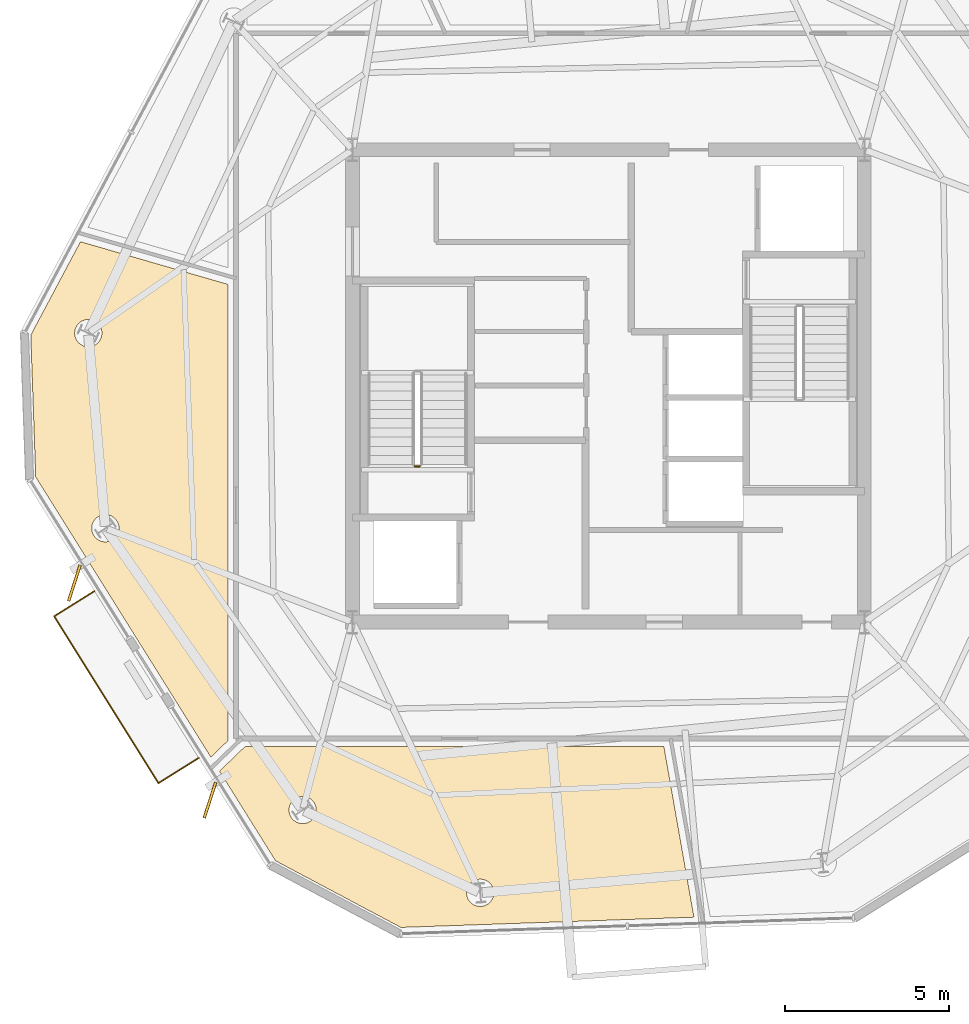
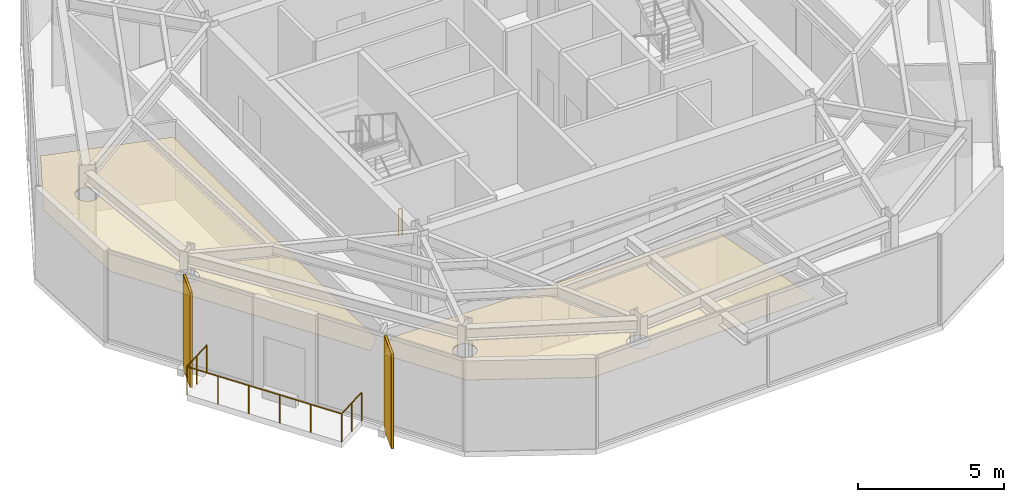
# One storey, part 8 of 11: 4 coverings, 2 railings, 2 shading devices.
"""IFC4 building model written with IfcOpenShell, lengths in metres."""

from ifc_helpers import new_model, si_unit, direction, frame, origin, origin_2d, place, context, subcontext, project, spatial, polyline, rectangle, circle, outline, extrude, material, layer, layer_set, type_object, element, save


model = new_model("IFC4")

# Units and contexts
model_context = context("Model", 3, precision=1e-05, world=origin(), true_north=direction((0.0, 1.0)))
body_context = subcontext(model_context, "Body", "Model", "MODEL_VIEW")
ifc_project = project(units=[si_unit("LENGTHUNIT", "METRE"), si_unit("AREAUNIT", "SQUARE_METRE"), si_unit("VOLUMEUNIT", "CUBIC_METRE"), si_unit("PLANEANGLEUNIT", "RADIAN"), si_unit("MASSUNIT", "GRAM", prefix="KILO")], contexts=[model_context])

# Site, building, storey
site_placement = place(None, origin())
site = spatial("IfcSite", under=ifc_project, at=site_placement, CompositionType="ELEMENT")
building_placement = place(site_placement, origin())
building = spatial("IfcBuilding", under=site, at=building_placement, Name="Kranzbogen Civic Tower", CompositionType="ELEMENT")
storey_placement = place(building_placement, frame((0.0, 0.0, 274.199951171875)))
storey = spatial("IfcBuildingStorey", under=building, at=storey_placement, Name="L66", CompositionType="ELEMENT", Elevation=274.199951171875)

# Coverings
ifc_material_1 = material(Name="Pale Anodised Aluminium", Category="aluminium")
ifc_layer_1 = layer(ifc_material_1, 0.02490234375, Name="Pale Anodised Aluminium")
ifc_layer_set_1 = layer_set([ifc_layer_1], Name="Pale Anodised Aluminium")
covering_type_1 = type_object("IfcCoveringType", Name="Anodised Aluminium Vertical Fin Cladding 25 mm", PredefinedType="CLADDING", material=ifc_layer_set_1)
for number, where, z_axis, x_axis, name in (
    (1, (8.720947265625, 18.989990234375, -0.139892578125), (0.0, 0.0, 1.0), (-0.307190528564, -0.951648033235, 0.0), "L66 vertical fin pale-metal cladding F3-1"),
    (2, (12.85400390625, 12.375, -0.139892578125), (0.0, 0.0, 1.0), (-0.307190528564, -0.951648033235, 0.0), "L66 vertical fin pale-metal cladding F3-4"),
):
    element("IfcCovering", number, at=place(storey_placement, frame(where, z_axis=z_axis, x_axis=x_axis)), inside=storey, type_object=covering_type_1, Name=name, PredefinedType="CLADDING", context=body_context, shape_type="SweptSolid", body=[
        extrude(rectangle(XDim=1.14990234375, YDim=0.094970703125, at=origin_2d()), origin(), (0.0, 0.0, 1.0), 3.9599609375),
    ])

# Railings
ifc_material_2 = material(Name="Anodised Bronze Aluminium", Category="aluminium")
railing_type_1 = type_object("IfcRailingType", Name="Cantilevered Balcony Glass and Bronze Balustrade 1200", PredefinedType="BALUSTRADE", material=ifc_material_2)
railing_1_placement = place(storey_placement, frame((9.3330078125, 18.7470703125, 0.0)))
element("IfcRailing", 3, at=railing_1_placement, inside=storey, type_object=railing_type_1, Name="L66 exterior terrace balustrade L66-TB2", PredefinedType="BALUSTRADE", context=body_context, shape_type="SweptSolid", body=[
    extrude(circle(Radius=0.02392578125, at=origin_2d()), frame((0.0, 0.0, 1.17578125), z_axis=(-0.84820632616, -0.529665959131, 0.0), x_axis=(0.529665959131, -0.84820632616, 0.0)), (0.0, 0.0, 1.0), 1.4501953125),
    extrude(circle(Radius=0.02392578125, at=origin_2d()), frame((-1.22998046875, -0.76806640625, 1.17578125), z_axis=(0.529881881377, -0.848071454412, 0.0), x_axis=(0.848071454412, 0.529881881377, 0.0)), (0.0, 0.0, 1.0), 5.999267578125),
    extrude(circle(Radius=0.02392578125, at=origin_2d()), frame((1.948974609375, -5.85595703125, 1.17578125), z_axis=(0.848281963452, 0.529544814422, 0.0), x_axis=(-0.529544814422, 0.848281963452, 0.0)), (0.0, 0.0, 1.0), 1.449951171875),
    extrude(circle(Radius=0.02099609375, at=origin_2d()), origin(), (0.0, 0.0, 1.0), 1.15185546875),
    extrude(circle(Radius=0.02099609375, at=origin_2d()), frame((-0.614990234375, -0.384033203125, 0.0)), (0.0, 0.0, 1.0), 1.15185546875),
    extrude(circle(Radius=0.02099609375, at=origin_2d()), frame((-1.22998046875, -0.76806640625, 0.0)), (0.0, 0.0, 1.0), 1.15185546875),
    extrude(circle(Radius=0.02099609375, at=origin_2d()), frame((-0.59423828125, -1.78564453125, 0.0)), (0.0, 0.0, 1.0), 1.15185546875),
    extrude(circle(Radius=0.02099609375, at=origin_2d()), frame((0.04150390625, -2.80322265625, 0.0)), (0.0, 0.0, 1.0), 1.15185546875),
    extrude(circle(Radius=0.02099609375, at=origin_2d()), frame((0.677490234375, -3.82080078125, 0.0)), (0.0, 0.0, 1.0), 1.15185546875),
    extrude(circle(Radius=0.02099609375, at=origin_2d()), frame((1.313232421875, -4.83837890625, 0.0)), (0.0, 0.0, 1.0), 1.15185546875),
    extrude(circle(Radius=0.02099609375, at=origin_2d()), frame((1.948974609375, -5.85595703125, 0.0)), (0.0, 0.0, 1.0), 1.15185546875),
    extrude(circle(Radius=0.02099609375, at=origin_2d()), frame((2.56396484375, -5.47216796875, 0.0)), (0.0, 0.0, 1.0), 1.15185546875),
    extrude(circle(Radius=0.02099609375, at=origin_2d()), frame((3.178955078125, -5.088134765625, 0.0)), (0.0, 0.0, 1.0), 1.15185546875),
])
ifc_material_3 = material(Name="Steel S355", Category="steel")
railing_type_2 = type_object("IfcRailingType", Name="Internal Stair and Void Steel Guardrail 1150", PredefinedType="GUARDRAIL", material=ifc_material_3)
railing_2_placement = place(storey_placement, frame((19.25, 22.550048828125, 0.0)))
element("IfcRailing", 4, at=railing_2_placement, inside=storey, type_object=railing_type_2, Name="L66 ST-T1 stair guard 4", PredefinedType="GUARDRAIL", context=body_context, shape_type="SweptSolid", body=[
    extrude(circle(Radius=0.02392578125, at=origin_2d()), frame((0.0, 0.0, 1.1259765625), z_axis=(-1.0, 0.0, 0.0), x_axis=(0.0, -1.0, 0.0)), (0.0, 0.0, 1.0), 0.14990234375),
    extrude(circle(Radius=0.02099609375, at=origin_2d()), origin(), (0.0, 0.0, 1.0), 1.101806640625),
    extrude(circle(Radius=0.02099609375, at=origin_2d()), frame((-0.14990234375, 0.0, 0.0)), (0.0, 0.0, 1.0), 1.101806640625),
])

# Shading devices
shading_device_type = type_object("IfcShadingDeviceType", Name="Pale Anodised Aluminium Crown Fin 1150x75", PredefinedType="USERDEFINED", material=ifc_material_1)
for number, where, z_axis, x_axis, name in (
    (5, (8.720947265625, 18.989990234375, -0.139892578125), (0.0, 0.0, 1.0), (-0.307190528564, -0.951648033235, 0.0), "L66 vertical exterior shading fin F3-1"),
    (6, (12.85400390625, 12.375, -0.139892578125), (0.0, 0.0, 1.0), (-0.307190528564, -0.951648033235, 0.0), "L66 vertical exterior shading fin F3-4"),
):
    element("IfcShadingDevice", number, at=place(storey_placement, frame(where, z_axis=z_axis, x_axis=x_axis)), inside=storey, type_object=shading_device_type, Name=name, ObjectType="FIN", PredefinedType="USERDEFINED", context=body_context, shape_type="SweptSolid", body=[
        extrude(rectangle(XDim=1.14990234375, YDim=0.074951171875, at=origin_2d()), origin(), (0.0, 0.0, 1.0), 3.9599609375),
    ])

# Coverings
ifc_material_4 = material(Name="Perforated Acoustic Gypsum Ceiling")
ifc_layer_2 = layer(ifc_material_4, 0.02490234375, Name="Perforated Acoustic Gypsum Ceiling")
ifc_layer_set_2 = layer_set([ifc_layer_2], Name="Perforated Acoustic Gypsum Ceiling")
covering_type_2 = type_object("IfcCoveringType", Name="Perforated Acoustic Mineral Ceiling Tile 25 mm", PredefinedType="CEILING", material=ifc_layer_set_2)
covering_1_placement = place(storey_placement, frame((0.0, 0.0, 2.75)))
element("IfcCovering", 7, at=covering_1_placement, inside=storey, type_object=covering_type_2, Name="L66 Operations Security Control Room acoustic ceiling", PredefinedType="CEILING", context=body_context, shape_type="SweptSolid", body=[
    extrude(outline(polyline([(7.39111328125, 26.549072265625), (8.905029296875, 29.39599609375), (13.405029296875, 28.094970703125), (13.405029296875, 14.25), (13.405029296875, 14.240966796875), (13.406005859375, 14.235107421875), (13.406982421875, 14.217041015625), (13.407958984375, 14.2109375), (13.410888671875, 14.195068359375), (12.8798828125, 13.68408203125), (7.5419921875, 22.22607421875), (7.39111328125, 26.549072265625)]), holes=[polyline([(10.050048828125, 20.501953125), (10.031982421875, 20.465087890625), (10.010986328125, 20.429931640625), (9.987060546875, 20.39697265625), (9.9599609375, 20.366943359375), (9.929931640625, 20.340087890625), (9.89697265625, 20.31591796875), (9.862060546875, 20.294921875), (9.824951171875, 20.277099609375), (9.787109375, 20.262939453125), (9.7470703125, 20.25390625), (9.70703125, 20.248046875), (9.666015625, 20.24609375), (9.625, 20.248046875), (9.5849609375, 20.25390625), (9.544921875, 20.262939453125), (9.507080078125, 20.277099609375), (9.469970703125, 20.294921875), (9.43505859375, 20.31591796875), (9.402099609375, 20.340087890625), (9.3720703125, 20.366943359375), (9.344970703125, 20.39697265625), (9.321044921875, 20.429931640625), (9.300048828125, 20.465087890625), (9.281982421875, 20.501953125), (9.26806640625, 20.5400390625), (9.259033203125, 20.580078125), (9.2529296875, 20.6201171875), (9.2509765625, 20.660888671875), (9.2529296875, 20.701904296875), (9.259033203125, 20.741943359375), (9.26806640625, 20.781982421875), (9.281982421875, 20.820068359375), (9.300048828125, 20.85693359375), (9.321044921875, 20.89208984375), (9.344970703125, 20.925048828125), (9.3720703125, 20.955078125), (9.402099609375, 20.98193359375), (9.43505859375, 21.006103515625), (9.469970703125, 21.027099609375), (9.507080078125, 21.044921875), (9.544921875, 21.05908203125), (9.5849609375, 21.068115234375), (9.625, 21.073974609375), (9.666015625, 21.075927734375), (9.70703125, 21.073974609375), (9.7470703125, 21.068115234375), (9.787109375, 21.05908203125), (9.824951171875, 21.044921875), (9.862060546875, 21.027099609375), (9.89697265625, 21.006103515625), (9.929931640625, 20.98193359375), (9.9599609375, 20.955078125), (9.987060546875, 20.925048828125), (10.010986328125, 20.89208984375), (10.031982421875, 20.85693359375), (10.050048828125, 20.820068359375), (10.06396484375, 20.781982421875), (10.072998046875, 20.741943359375), (10.0791015625, 20.701904296875), (10.0810546875, 20.660888671875), (10.0791015625, 20.6201171875), (10.072998046875, 20.580078125), (10.06396484375, 20.5400390625), (10.050048828125, 20.501953125)]), polyline([(9.529052734375, 26.450927734375), (9.510986328125, 26.4140625), (9.489990234375, 26.37890625), (9.466064453125, 26.345947265625), (9.43896484375, 26.31591796875), (9.408935546875, 26.2890625), (9.3759765625, 26.264892578125), (9.341064453125, 26.243896484375), (9.303955078125, 26.22607421875), (9.26611328125, 26.2119140625), (9.22607421875, 26.202880859375), (9.18603515625, 26.197021484375), (9.14501953125, 26.195068359375), (9.10400390625, 26.197021484375), (9.06396484375, 26.202880859375), (9.02392578125, 26.2119140625), (8.986083984375, 26.22607421875), (8.948974609375, 26.243896484375), (8.9140625, 26.264892578125), (8.881103515625, 26.2890625), (8.85107421875, 26.31591796875), (8.823974609375, 26.345947265625), (8.800048828125, 26.37890625), (8.779052734375, 26.4140625), (8.760986328125, 26.450927734375), (8.7470703125, 26.489013671875), (8.738037109375, 26.529052734375), (8.73193359375, 26.569091796875), (8.72998046875, 26.610107421875), (8.73193359375, 26.65087890625), (8.738037109375, 26.69091796875), (8.7470703125, 26.73095703125), (8.760986328125, 26.76904296875), (8.779052734375, 26.805908203125), (8.800048828125, 26.841064453125), (8.823974609375, 26.8740234375), (8.85107421875, 26.904052734375), (8.881103515625, 26.930908203125), (8.9140625, 26.955078125), (8.948974609375, 26.97607421875), (8.986083984375, 26.993896484375), (9.02392578125, 27.008056640625), (9.06396484375, 27.01708984375), (9.10400390625, 27.02294921875), (9.14501953125, 27.02490234375), (9.18603515625, 27.02294921875), (9.22607421875, 27.01708984375), (9.26611328125, 27.008056640625), (9.303955078125, 26.993896484375), (9.341064453125, 26.97607421875), (9.3759765625, 26.955078125), (9.408935546875, 26.930908203125), (9.43896484375, 26.904052734375), (9.466064453125, 26.8740234375), (9.489990234375, 26.841064453125), (9.510986328125, 26.805908203125), (9.529052734375, 26.76904296875), (9.54296875, 26.73095703125), (9.552001953125, 26.69091796875), (9.55810546875, 26.65087890625), (9.56005859375, 26.610107421875), (9.55810546875, 26.569091796875), (9.552001953125, 26.529052734375), (9.54296875, 26.489013671875), (9.529052734375, 26.450927734375)])]), origin(), (0.0, 0.0, 1.0), 0.025146484375),
])
covering_2_placement = place(storey_placement, frame((0.0, 0.0, 2.75)))
element("IfcCovering", 8, at=covering_2_placement, inside=storey, type_object=covering_type_2, Name="L66 Central Mail Post Room acoustic ceiling", PredefinedType="CEILING", context=body_context, shape_type="SweptSolid", body=[
    extrude(outline(polyline([(14.85302734375, 10.52490234375), (13.14501953125, 13.259033203125), (13.9208984375, 14.0048828125), (26.68994140625, 14.0048828125), (27.60693359375, 8.805908203125), (18.674072265625, 8.493896484375), (14.85302734375, 10.52490234375)]), holes=[polyline([(21.47509765625, 9.39111328125), (21.45703125, 9.35400390625), (21.43603515625, 9.319091796875), (21.412109375, 9.285888671875), (21.385009765625, 9.256103515625), (21.35498046875, 9.22900390625), (21.322021484375, 9.205078125), (21.287109375, 9.18408203125), (21.25, 9.166015625), (21.2119140625, 9.152099609375), (21.172119140625, 9.14306640625), (21.132080078125, 9.136962890625), (21.091064453125, 9.135009765625), (21.050048828125, 9.136962890625), (21.010009765625, 9.14306640625), (20.969970703125, 9.152099609375), (20.931884765625, 9.166015625), (20.89501953125, 9.18408203125), (20.860107421875, 9.205078125), (20.826904296875, 9.22900390625), (20.797119140625, 9.256103515625), (20.77001953125, 9.285888671875), (20.74609375, 9.319091796875), (20.72509765625, 9.35400390625), (20.70703125, 9.39111328125), (20.693115234375, 9.428955078125), (20.68408203125, 9.468994140625), (20.677978515625, 9.509033203125), (20.676025390625, 9.550048828125), (20.677978515625, 9.591064453125), (20.68408203125, 9.631103515625), (20.693115234375, 9.6708984375), (20.70703125, 9.708984375), (20.72509765625, 9.74609375), (20.74609375, 9.781005859375), (20.77001953125, 9.81396484375), (20.797119140625, 9.843994140625), (20.826904296875, 9.87109375), (20.860107421875, 9.89501953125), (20.89501953125, 9.916015625), (20.931884765625, 9.93408203125), (20.969970703125, 9.947998046875), (21.010009765625, 9.95703125), (21.050048828125, 9.962890625), (21.091064453125, 9.965087890625), (21.132080078125, 9.962890625), (21.172119140625, 9.95703125), (21.2119140625, 9.947998046875), (21.25, 9.93408203125), (21.287109375, 9.916015625), (21.322021484375, 9.89501953125), (21.35498046875, 9.87109375), (21.385009765625, 9.843994140625), (21.412109375, 9.81396484375), (21.43603515625, 9.781005859375), (21.45703125, 9.74609375), (21.47509765625, 9.708984375), (21.489013671875, 9.6708984375), (21.498046875, 9.631103515625), (21.50390625, 9.591064453125), (21.506103515625, 9.550048828125), (21.50390625, 9.509033203125), (21.498046875, 9.468994140625), (21.489013671875, 9.428955078125), (21.47509765625, 9.39111328125)]), polyline([(16.06201171875, 11.9150390625), (16.0439453125, 11.8779296875), (16.02294921875, 11.843017578125), (15.9990234375, 11.81005859375), (15.971923828125, 11.780029296875), (15.94189453125, 11.7529296875), (15.908935546875, 11.72900390625), (15.8740234375, 11.7080078125), (15.8369140625, 11.68994140625), (15.799072265625, 11.676025390625), (15.759033203125, 11.6669921875), (15.718994140625, 11.660888671875), (15.677978515625, 11.658935546875), (15.636962890625, 11.660888671875), (15.596923828125, 11.6669921875), (15.556884765625, 11.676025390625), (15.51904296875, 11.68994140625), (15.48193359375, 11.7080078125), (15.447021484375, 11.72900390625), (15.4140625, 11.7529296875), (15.384033203125, 11.780029296875), (15.35693359375, 11.81005859375), (15.3330078125, 11.843017578125), (15.31201171875, 11.8779296875), (15.2939453125, 11.9150390625), (15.280029296875, 11.952880859375), (15.27099609375, 11.992919921875), (15.264892578125, 12.032958984375), (15.262939453125, 12.073974609375), (15.264892578125, 12.114990234375), (15.27099609375, 12.155029296875), (15.280029296875, 12.195068359375), (15.2939453125, 12.23291015625), (15.31201171875, 12.27001953125), (15.3330078125, 12.304931640625), (15.35693359375, 12.337890625), (15.384033203125, 12.367919921875), (15.4140625, 12.39501953125), (15.447021484375, 12.4189453125), (15.48193359375, 12.43994140625), (15.51904296875, 12.4580078125), (15.556884765625, 12.471923828125), (15.596923828125, 12.48095703125), (15.636962890625, 12.487060546875), (15.677978515625, 12.489013671875), (15.718994140625, 12.487060546875), (15.759033203125, 12.48095703125), (15.799072265625, 12.471923828125), (15.8369140625, 12.4580078125), (15.8740234375, 12.43994140625), (15.908935546875, 12.4189453125), (15.94189453125, 12.39501953125), (15.971923828125, 12.367919921875), (15.9990234375, 12.337890625), (16.02294921875, 12.304931640625), (16.0439453125, 12.27001953125), (16.06201171875, 12.23291015625), (16.075927734375, 12.195068359375), (16.0849609375, 12.155029296875), (16.091064453125, 12.114990234375), (16.093017578125, 12.073974609375), (16.091064453125, 12.032958984375), (16.0849609375, 11.992919921875), (16.075927734375, 11.952880859375), (16.06201171875, 11.9150390625)])]), origin(), (0.0, 0.0, 1.0), 0.025146484375),
])

save(model, "model.ifc")
